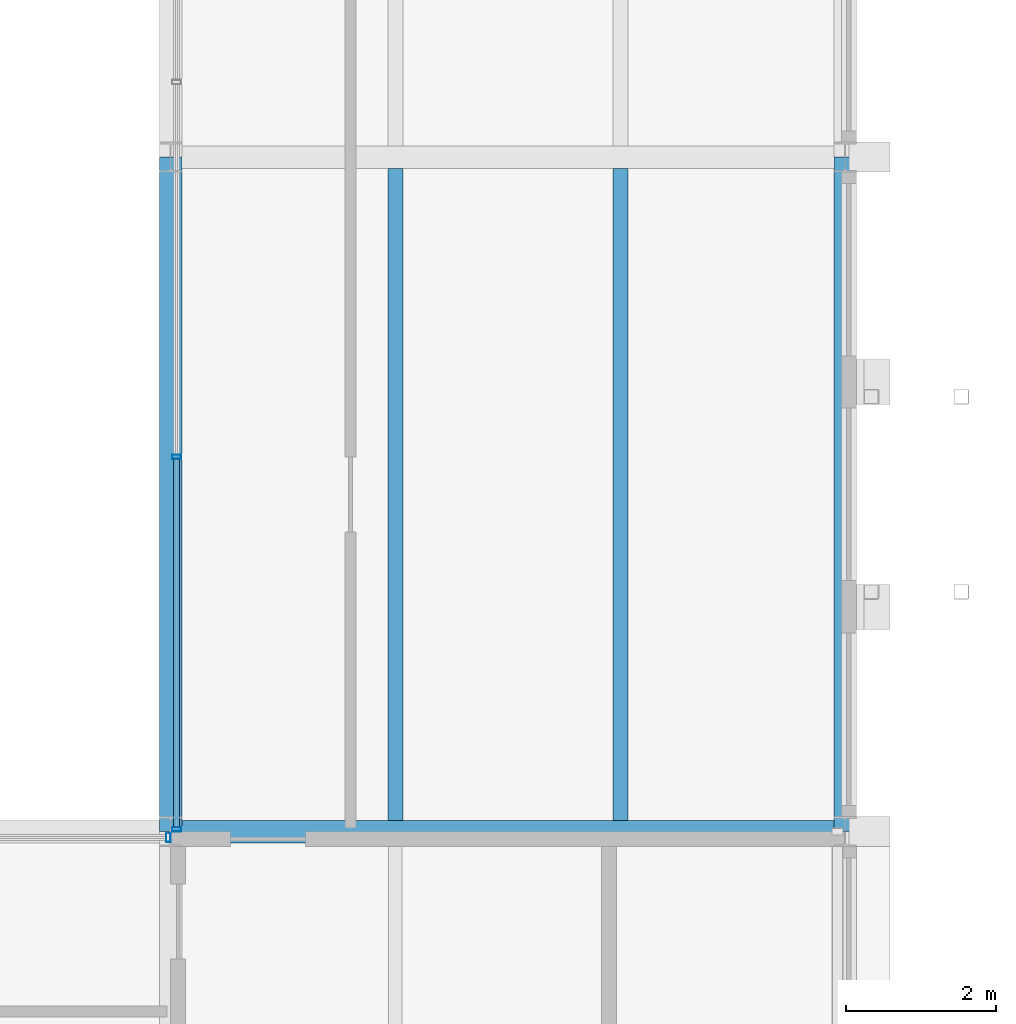
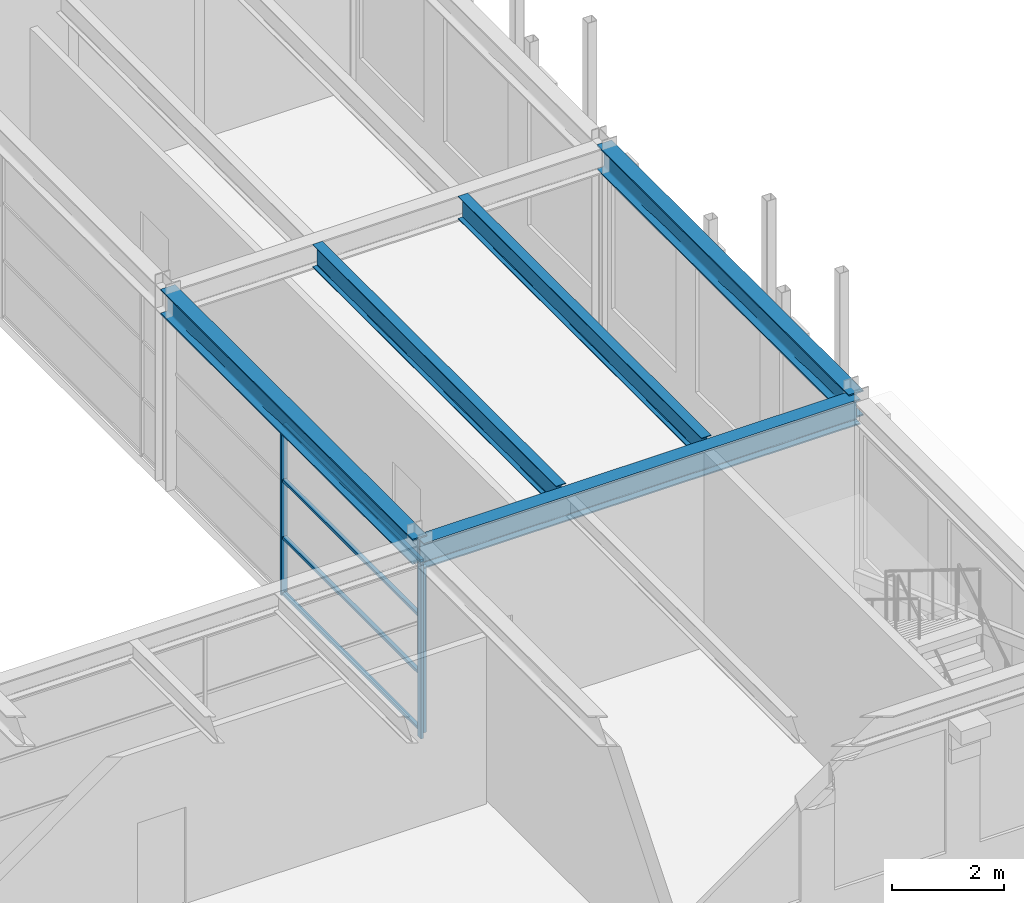
# One storey, part 41 of 153: 7 members, 5 beams, 2 elements without a shape of their own.
"""IFC4 building model written with IfcOpenShell, lengths in metres."""

from ifc_helpers import new_model, si_unit, direction, frame, origin, origin_2d, place, context, subcontext, project, spatial, hollow_rectangle, i_section, extrude, material, material_profile, profile_set, type_object, element, aggregate, save


model = new_model("IFC4")

# Units and contexts
model_context = context("Model", 3, precision=1e-05, world=origin(), true_north=direction((0.0, 1.0)))
body_context = subcontext(model_context, "Body", "Model", "MODEL_VIEW")
ifc_project = project(units=[si_unit("LENGTHUNIT", "METRE"), si_unit("AREAUNIT", "SQUARE_METRE"), si_unit("VOLUMEUNIT", "CUBIC_METRE"), si_unit("PLANEANGLEUNIT", "RADIAN"), si_unit("MASSUNIT", "GRAM", prefix="KILO")], contexts=[model_context])

# Site, building, storey
site_placement = place(None, origin())
site = spatial("IfcSite", under=ifc_project, at=site_placement, CompositionType="ELEMENT")
building_placement = place(site_placement, origin())
building = spatial("IfcBuilding", under=site, at=building_placement, Name="Kallimachos Central Library", CompositionType="ELEMENT")
storey_placement = place(building_placement, frame((0.0, 0.0, 5.39990234375)))
storey = spatial("IfcBuildingStorey", under=building, at=storey_placement, Name="L01", CompositionType="ELEMENT", Elevation=5.39990234375)

# Curtain wall, member
ifc_material_1 = material(Name="Aluminium and laminated glass", Category="aluminium")
curtain_wall_type = type_object("IfcCurtainWallType", Name="Atrium glazed screen", PredefinedType="NOTDEFINED", material=ifc_material_1)
curtain_wall_1_placement = place(storey_placement, origin())
curtain_wall_1 = element("IfcCurtainWall", 1, at=curtain_wall_1_placement, inside=storey, type_object=curtain_wall_type, Name="L01 atrium screen S", PredefinedType="NOTDEFINED")
ifc_material_2 = material(Name="Anodised aluminium", Category="aluminium")
ifc_material_profile_1 = material_profile(ifc_material_2, hollow_rectangle(XDim=0.06005859375, YDim=0.1201171875, WallThickness=0.00390625, at=origin_2d()), Name="ALU MULLION 60x120")
ifc_profile_set_1 = profile_set([ifc_material_profile_1], Name="Anodised aluminium")
member_type_1 = type_object("IfcMemberType", Name="Atrium screen mullion", PredefinedType="MULLION", material=ifc_profile_set_1)
member_1_placement = place(storey_placement, frame((101.469970703125, 56.919921875, 0.0), z_axis=(0.0, 0.0, 1.0), x_axis=(1.0, 0.0, 0.0)))
member_1 = element("IfcMember", 2, at=member_1_placement, type_object=member_type_1, Name="CW mullion 7", PredefinedType="MULLION", context=body_context, shape_type="SweptSolid", body=[
    extrude(hollow_rectangle(XDim=0.06005859375, YDim=0.1201171875, WallThickness=0.00390625, at=origin_2d()), origin(), (0.0, 0.0, 1.0), 3.800048828125),
])
aggregate(curtain_wall_1, [member_1])

# Curtain wall, members
curtain_wall_2_placement = place(storey_placement, origin())
curtain_wall_2 = element("IfcCurtainWall", 3, at=curtain_wall_2_placement, inside=storey, type_object=curtain_wall_type, Name="L01 atrium screen E", PredefinedType="NOTDEFINED")
member_2_placement = place(storey_placement, frame((101.580078125, 57.030029296875, 0.0), z_axis=(0.0, 0.0, 1.0), x_axis=(0.0, 1.0, 0.0)))
member_2 = element("IfcMember", 4, at=member_2_placement, type_object=member_type_1, Name="CW mullion 1", PredefinedType="MULLION", context=body_context, shape_type="SweptSolid", body=[
    extrude(hollow_rectangle(XDim=0.06005859375, YDim=0.1201171875, WallThickness=0.00390625, at=origin_2d()), origin(), (0.0, 0.0, 1.0), 3.75),
])
member_3_placement = place(storey_placement, frame((101.580078125, 62.0, 0.0), z_axis=(0.0, 0.0, 1.0), x_axis=(0.0, 1.0, 0.0)))
member_3 = element("IfcMember", 5, at=member_3_placement, type_object=member_type_1, Name="CW mullion 2", PredefinedType="MULLION", context=body_context, shape_type="SweptSolid", body=[
    extrude(hollow_rectangle(XDim=0.06005859375, YDim=0.1201171875, WallThickness=0.00390625, at=origin_2d()), origin(), (0.0, 0.0, 1.0), 3.75),
])
ifc_material_3 = material(Name="Anodised aluminium", Category="aluminium")
ifc_material_profile_2 = material_profile(ifc_material_3, hollow_rectangle(XDim=0.06005859375, YDim=0.080078125, WallThickness=0.00390625, at=origin_2d()), Name="ALU TRANSOM 60x80")
ifc_profile_set_2 = profile_set([ifc_material_profile_2], Name="Anodised aluminium")
member_type_2 = type_object("IfcMemberType", Name="Atrium screen transom", PredefinedType="USERDEFINED", material=ifc_profile_set_2)
member_4_placement = place(storey_placement, frame((101.580078125, 57.06005859375, 0.030029296875), z_axis=(0.0, 1.0, 0.0), x_axis=(0.0, 0.0, 1.0)))
member_4 = element("IfcMember", 6, at=member_4_placement, type_object=member_type_2, Name="CW transom 1.1", ObjectType="TRANSOM", PredefinedType="USERDEFINED", context=body_context, shape_type="SweptSolid", body=[
    extrude(hollow_rectangle(XDim=0.06005859375, YDim=0.080078125, WallThickness=0.00390625, at=origin_2d()), origin(), (0.0, 0.0, 1.0), 4.909912109375),
])
member_5_placement = place(storey_placement, frame((101.580078125, 57.06005859375, 1.25), z_axis=(0.0, 1.0, 0.0), x_axis=(0.0, 0.0, 1.0)))
member_5 = element("IfcMember", 7, at=member_5_placement, type_object=member_type_2, Name="CW transom 1.2", ObjectType="TRANSOM", PredefinedType="USERDEFINED", context=body_context, shape_type="SweptSolid", body=[
    extrude(hollow_rectangle(XDim=0.06005859375, YDim=0.080078125, WallThickness=0.00390625, at=origin_2d()), origin(), (0.0, 0.0, 1.0), 4.909912109375),
])
member_6_placement = place(storey_placement, frame((101.580078125, 57.06005859375, 2.5), z_axis=(0.0, 1.0, 0.0), x_axis=(0.0, 0.0, 1.0)))
member_6 = element("IfcMember", 8, at=member_6_placement, type_object=member_type_2, Name="CW transom 1.3", ObjectType="TRANSOM", PredefinedType="USERDEFINED", context=body_context, shape_type="SweptSolid", body=[
    extrude(hollow_rectangle(XDim=0.06005859375, YDim=0.080078125, WallThickness=0.00390625, at=origin_2d()), origin(), (0.0, 0.0, 1.0), 4.909912109375),
])
member_7_placement = place(storey_placement, frame((101.580078125, 57.06005859375, 3.72021484375), z_axis=(0.0, 1.0, 0.0), x_axis=(0.0, 0.0, 1.0)))
member_7 = element("IfcMember", 9, at=member_7_placement, type_object=member_type_2, Name="CW transom 1.4", ObjectType="TRANSOM", PredefinedType="USERDEFINED", context=body_context, shape_type="SweptSolid", body=[
    extrude(hollow_rectangle(XDim=0.06005859375, YDim=0.080078125, WallThickness=0.00390625, at=origin_2d()), origin(), (0.0, 0.0, 1.0), 4.909912109375),
])
aggregate(curtain_wall_2, [member_2, member_3, member_4, member_5, member_6, member_7])

# Beams
ifc_material_4 = material(Name="Steel S355J2", Category="steel")
ifc_material_profile_3 = material_profile(ifc_material_4, i_section(OverallWidth=0.300048828125, OverallDepth=0.550048828125, WebThickness=0.014892578125, FlangeThickness=0.029052734375, FilletRadius=0.027099609375, at=origin_2d()), Name="HEB 550")
ifc_profile_set_3 = profile_set([ifc_material_profile_3], Name="Steel S355J2")
beam_type_1 = type_object("IfcBeamType", Name="HEB 550 beam", PredefinedType="BEAM", material=ifc_profile_set_3)
for number, where, z_axis, x_axis, name in (
    (10, (101.5, 57.0, 3.97509765625), (1.0, 0.0, 0.0), (0.0, 1.0, 0.0), "V4-BEM-L01-031"),
    (11, (101.5, 57.0, 4.025146484375), (0.0, 1.0, 0.0), (-1.0, 0.0, 0.0), "V4-BEM-L01-033"),
    (12, (110.5, 57.0, 4.025146484375), (0.0, 1.0, 0.0), (-1.0, 0.0, 0.0), "V4-BEM-L01-035"),
):
    element("IfcBeam", number, at=place(storey_placement, frame(where, z_axis=z_axis, x_axis=x_axis)), inside=storey, type_object=beam_type_1, Name=name, PredefinedType="BEAM", context=body_context, shape_type="SweptSolid", body=[
        extrude(i_section(OverallWidth=0.300048828125, OverallDepth=0.550048828125, WebThickness=0.014892578125, FlangeThickness=0.029052734375, FilletRadius=0.027099609375, at=origin_2d()), origin(), (0.0, 0.0, 1.0), 9.0),
    ])
ifc_material_5 = material(Name="Steel S355J2", Category="steel")
ifc_material_profile_4 = material_profile(ifc_material_5, i_section(OverallWidth=0.199951171875, OverallDepth=0.5, WebThickness=0.01025390625, FlangeThickness=0.01611328125, FilletRadius=0.02099609375, at=origin_2d()), Name="IPE 500")
ifc_profile_set_4 = profile_set([ifc_material_profile_4], Name="Steel S355J2")
beam_type_2 = type_object("IfcBeamType", Name="IPE 500 beam", PredefinedType="BEAM", material=ifc_profile_set_4)
for number, where, z_axis, x_axis, name in (
    (13, (104.5, 57.14990234375, 4.050048828125), (0.0, 1.0, 0.0), (-1.0, 0.0, 0.0), "V4-BEM-L01-037"),
    (14, (107.5, 57.14990234375, 4.050048828125), (0.0, 1.0, 0.0), (-1.0, 0.0, 0.0), "V4-BEM-L01-038"),
):
    element("IfcBeam", number, at=place(storey_placement, frame(where, z_axis=z_axis, x_axis=x_axis)), inside=storey, type_object=beam_type_2, Name=name, PredefinedType="BEAM", context=body_context, shape_type="SweptSolid", body=[
        extrude(i_section(OverallWidth=0.199951171875, OverallDepth=0.5, WebThickness=0.01025390625, FlangeThickness=0.01611328125, FilletRadius=0.02099609375, at=origin_2d()), origin(), (0.0, 0.0, 1.0), 8.7001953125),
    ])

save(model, "model.ifc")
